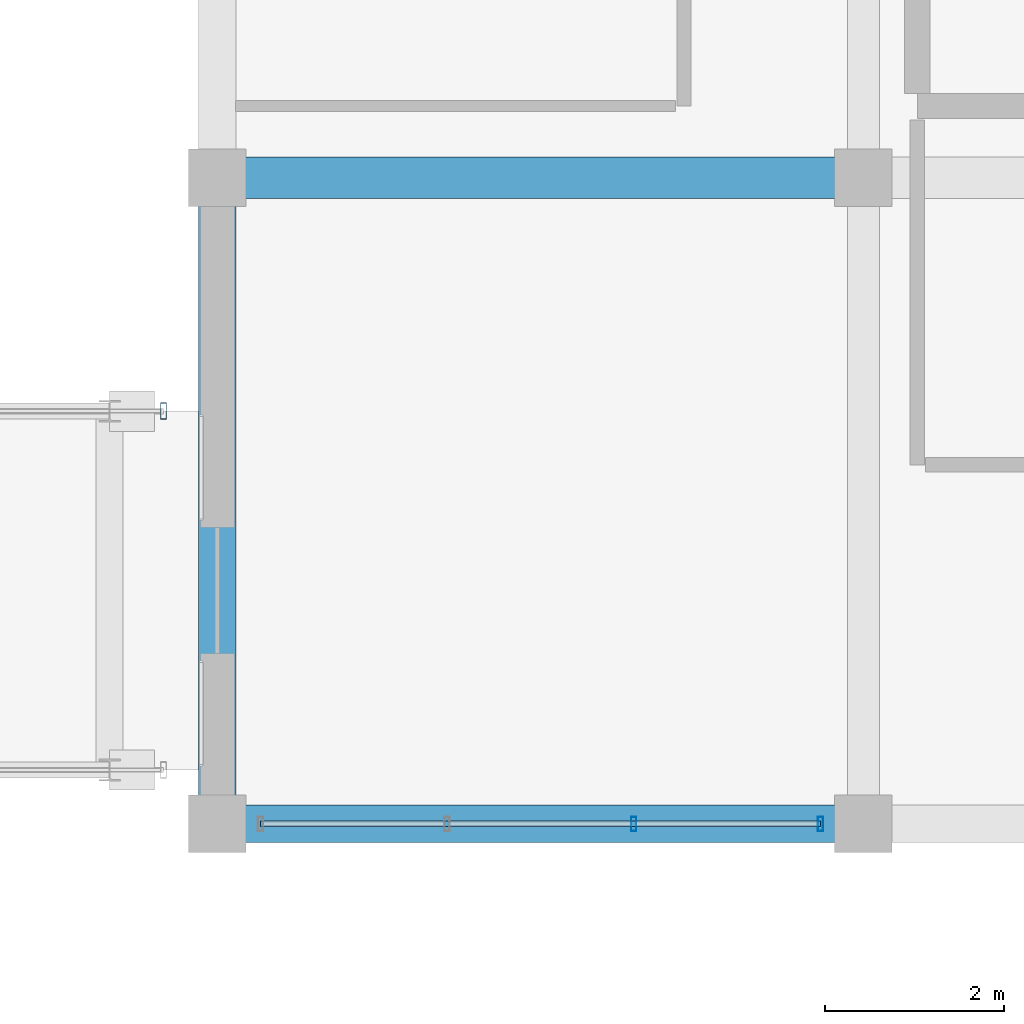
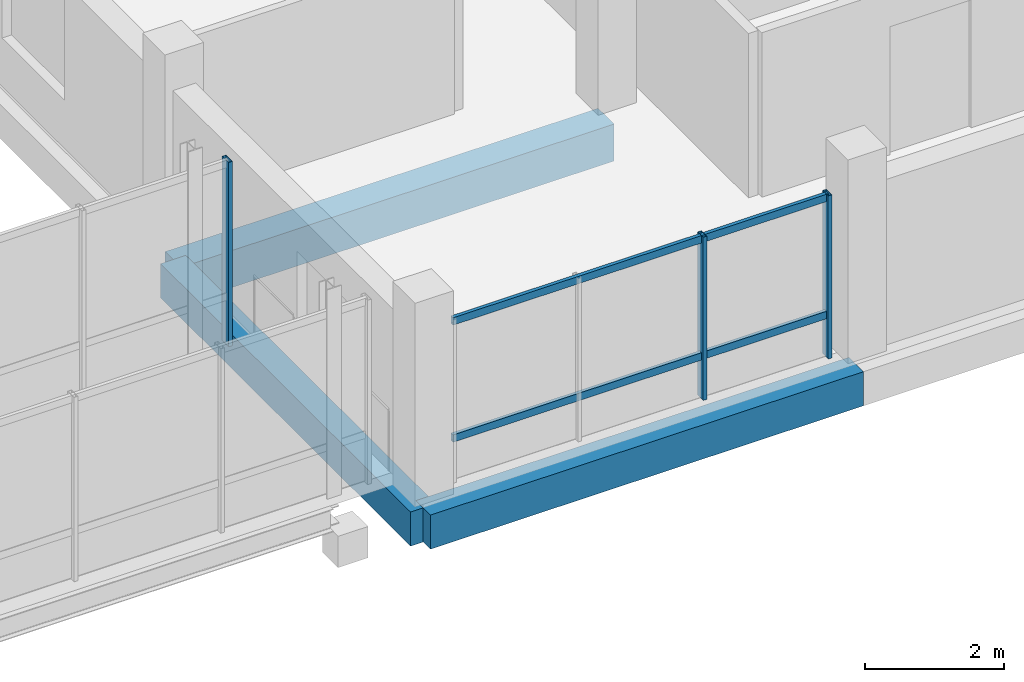
# One storey, part 84 of 128: 5 members, 3 beams, 2 elements without a shape of their own.
"""IFC4 building model written with IfcOpenShell, lengths in metres."""

from ifc_helpers import new_model, si_unit, direction, frame, origin, origin_2d, place, context, subcontext, project, spatial, rectangle, hollow_rectangle, extrude, material, material_profile, profile_set, type_object, element, aggregate, save


model = new_model("IFC4")

# Units and contexts
model_context = context("Model", 3, precision=1e-05, world=origin(), true_north=direction((0.0, 1.0)))
body_context = subcontext(model_context, "Body", "Model", "MODEL_VIEW")
ifc_project = project(units=[si_unit("LENGTHUNIT", "METRE"), si_unit("AREAUNIT", "SQUARE_METRE"), si_unit("VOLUMEUNIT", "CUBIC_METRE"), si_unit("PLANEANGLEUNIT", "RADIAN"), si_unit("MASSUNIT", "GRAM", prefix="KILO")], contexts=[model_context])

# Site, building, storey
site_placement = place(None, origin())
site = spatial("IfcSite", under=ifc_project, at=site_placement, CompositionType="ELEMENT")
building_placement = place(site_placement, origin())
building = spatial("IfcBuilding", under=site, at=building_placement, Name="Zornivar Specialist Clinic", CompositionType="ELEMENT")
storey_placement = place(building_placement, frame((0.0, 0.0, 4.5)))
storey = spatial("IfcBuildingStorey", under=building, at=storey_placement, Name="L01", CompositionType="ELEMENT", Elevation=4.5)

# Beams
ifc_material_1 = material(Name="Concrete C30/37", Category="concrete")
ifc_material_profile_1 = material_profile(ifc_material_1, rectangle(XDim=0.4599609375, YDim=0.64990234375, at=origin_2d()), Name="RC 460x650")
ifc_profile_set_1 = profile_set([ifc_material_profile_1], Name="Concrete C30/37")
beam_type_1 = type_object("IfcBeamType", Name="BM-RC-460x650", PredefinedType="BEAM", material=ifc_profile_set_1)
beam_placement = place(storey_placement, frame((136.800048828125, 72.0, -0.64501953125), z_axis=(1.0, 0.0, 0.0), x_axis=(0.0, 1.0, 0.0)))
element("IfcBeam", 1, at=beam_placement, inside=storey, type_object=beam_type_1, Name="bm:V6:L01:x:720:0", PredefinedType="BEAM", context=body_context, shape_type="SweptSolid", body=[
    extrude(rectangle(XDim=0.4599609375, YDim=0.64990234375, at=origin_2d()), origin(), (0.0, 0.0, 1.0), 7.199951171875),
])
ifc_material_2 = material(Name="Concrete C30/37", Category="concrete")
ifc_material_profile_2 = material_profile(ifc_material_2, rectangle(XDim=0.419921875, YDim=0.60009765625, at=origin_2d()), Name="RC 420x600")
ifc_profile_set_2 = profile_set([ifc_material_profile_2], Name="Concrete C30/37")
beam_type_2 = type_object("IfcBeamType", Name="BM-RC-SPANDREL-420x600", PredefinedType="SPANDREL", material=ifc_profile_set_2)
for number, where, z_axis, x_axis, name in (
    (2, (136.800048828125, 64.800048828125, -0.6201171875), (1.0, 0.0, 0.0), (0.0, 1.0, 0.0), "bm:V6:L01:x:648:0"),
    (3, (136.800048828125, 64.800048828125, -0.6201171875), (0.0, 1.0, 0.0), (-1.0, 0.0, 0.0), "bm:V6:L01:y:1368:0"),
):
    element("IfcBeam", number, at=place(storey_placement, frame(where, z_axis=z_axis, x_axis=x_axis)), inside=storey, type_object=beam_type_2, Name=name, PredefinedType="SPANDREL", context=body_context, shape_type="SweptSolid", body=[
        extrude(rectangle(XDim=0.419921875, YDim=0.60009765625, at=origin_2d()), origin(), (0.0, 0.0, 1.0), 7.199951171875),
    ])

# Curtain wall, members
ifc_material_3 = material(Name="Aluminium and Low-E Glass Curtain Wall", Category="aluminium")
curtain_wall_type_1 = type_object("IfcCurtainWallType", Name="CW-LAB-NORTH", PredefinedType="NOTDEFINED", material=ifc_material_3)
curtain_wall_1_placement = place(storey_placement, origin())
curtain_wall_1 = element("IfcCurtainWall", 4, at=curtain_wall_1_placement, inside=storey, type_object=curtain_wall_type_1, Name="cw:V6:L01:00", PredefinedType="NOTDEFINED")
ifc_material_4 = material(Name="Aluminium AW-6060", Category="aluminium")
ifc_material_profile_3 = material_profile(ifc_material_4, hollow_rectangle(XDim=0.06005859375, YDim=0.159912109375, WallThickness=0.00390625, at=origin_2d()), Name="ALU 60x160x4")
ifc_profile_set_3 = profile_set([ifc_material_profile_3], Name="Aluminium AW-6060")
member_type_1 = type_object("IfcMemberType", Name="CWM-MUL-160", PredefinedType="MULLION", material=ifc_profile_set_3)
member_1_placement = place(storey_placement, frame((141.43994140625, 64.800048828125, 0.0), z_axis=(0.0, 0.0, 1.0), x_axis=(1.0, 0.0, 0.0)))
member_1 = element("IfcMember", 5, at=member_1_placement, type_object=member_type_1, Name="cw:V6:L01:00:mul:2", PredefinedType="MULLION", context=body_context, shape_type="SweptSolid", body=[
    extrude(hollow_rectangle(XDim=0.06005859375, YDim=0.159912109375, WallThickness=0.00390625, at=origin_2d()), origin(), (0.0, 0.0, 1.0), 2.8701171875),
])
member_2_placement = place(storey_placement, frame((143.52001953125, 64.800048828125, 0.0), z_axis=(0.0, 0.0, 1.0), x_axis=(1.0, 0.0, 0.0)))
member_2 = element("IfcMember", 6, at=member_2_placement, type_object=member_type_1, Name="cw:V6:L01:00:mul:3", PredefinedType="MULLION", context=body_context, shape_type="SweptSolid", body=[
    extrude(hollow_rectangle(XDim=0.06005859375, YDim=0.159912109375, WallThickness=0.00390625, at=origin_2d()), origin(), (0.0, 0.0, 1.0), 2.8701171875),
])

# Curtain wall, member
ifc_material_5 = material(Name="Aluminium and Low-E Glass Curtain Wall", Category="aluminium")
curtain_wall_type_2 = type_object("IfcCurtainWallType", Name="CW-BRIDGE-LINK", PredefinedType="NOTDEFINED", material=ifc_material_5)
curtain_wall_2_placement = place(storey_placement, origin())
curtain_wall_2 = element("IfcCurtainWall", 7, at=curtain_wall_2_placement, inside=storey, type_object=curtain_wall_type_2, Name="cw:BR3:L01:N:0", PredefinedType="NOTDEFINED")
ifc_material_6 = material(Name="Aluminium AW-6060", Category="aluminium")
ifc_material_profile_4 = material_profile(ifc_material_6, hollow_rectangle(XDim=0.06494140625, YDim=0.18505859375, WallThickness=0.00439453125, at=origin_2d()), Name="ALU 65x185x4.5")
ifc_profile_set_4 = profile_set([ifc_material_profile_4], Name="Aluminium AW-6060")
member_type_2 = type_object("IfcMemberType", Name="CWM-MUL-185", PredefinedType="MULLION", material=ifc_profile_set_4)
member_3_placement = place(storey_placement, frame((136.199951171875, 69.39990234375, 0.0), z_axis=(0.0, 0.0, 1.0), x_axis=(1.0, 0.0, 0.0)))
member_3 = element("IfcMember", 8, at=member_3_placement, type_object=member_type_2, Name="cw:BR3:L01:N:0:mul:3", PredefinedType="MULLION", context=body_context, shape_type="SweptSolid", body=[
    extrude(hollow_rectangle(XDim=0.06494140625, YDim=0.18505859375, WallThickness=0.00439453125, at=origin_2d()), origin(), (0.0, 0.0, 1.0), 3.239990234375),
])
aggregate(curtain_wall_2, [member_3])

# Member
ifc_material_7 = material(Name="Aluminium AW-6060", Category="aluminium")
ifc_material_profile_5 = material_profile(ifc_material_7, hollow_rectangle(XDim=0.06005859375, YDim=0.1298828125, WallThickness=0.00390625, at=origin_2d()), Name="ALU 60x130x4")
ifc_profile_set_5 = profile_set([ifc_material_profile_5], Name="Aluminium AW-6060")
member_type_3 = type_object("IfcMemberType", Name="CWM-TRN-130", PredefinedType="USERDEFINED", material=ifc_profile_set_5)
member_4_placement = place(storey_placement, frame((137.280029296875, 64.800048828125, 0.74609375), z_axis=(1.0, 0.0, 0.0), x_axis=(0.0, 1.0, 0.0)))
member_4 = element("IfcMember", 9, at=member_4_placement, type_object=member_type_3, Name="cw:V6:L01:00:trn:0", ObjectType="TRANSOM", PredefinedType="USERDEFINED", context=body_context, shape_type="SweptSolid", body=[
    extrude(hollow_rectangle(XDim=0.06005859375, YDim=0.1298828125, WallThickness=0.00390625, at=origin_2d()), origin(), (0.0, 0.0, 1.0), 6.239990234375),
])

member_5_placement = place(storey_placement, frame((137.280029296875, 64.800048828125, 2.804931640625), z_axis=(1.0, 0.0, 0.0), x_axis=(0.0, 1.0, 0.0)))
member_5 = element("IfcMember", 10, at=member_5_placement, type_object=member_type_3, Name="cw:V6:L01:00:trn:1", ObjectType="TRANSOM", PredefinedType="USERDEFINED", context=body_context, shape_type="SweptSolid", body=[
    extrude(hollow_rectangle(XDim=0.06005859375, YDim=0.1298828125, WallThickness=0.00390625, at=origin_2d()), origin(), (0.0, 0.0, 1.0), 6.239990234375),
])

aggregate(curtain_wall_1, [member_1, member_2, member_4, member_5])

save(model, "model.ifc")
